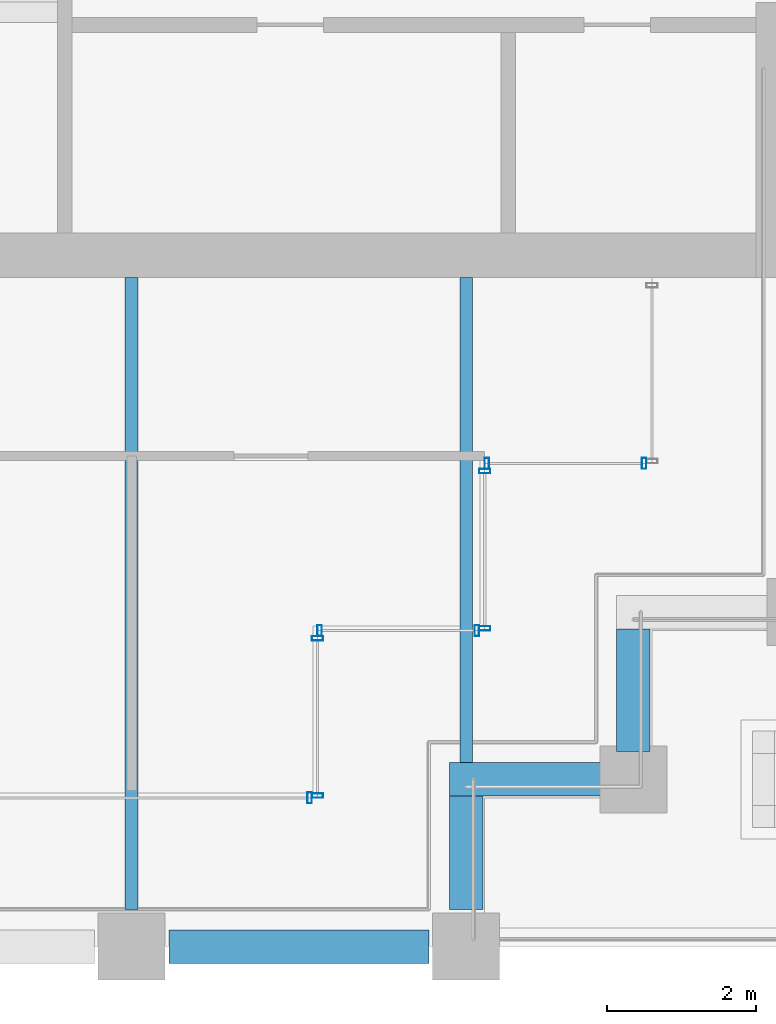
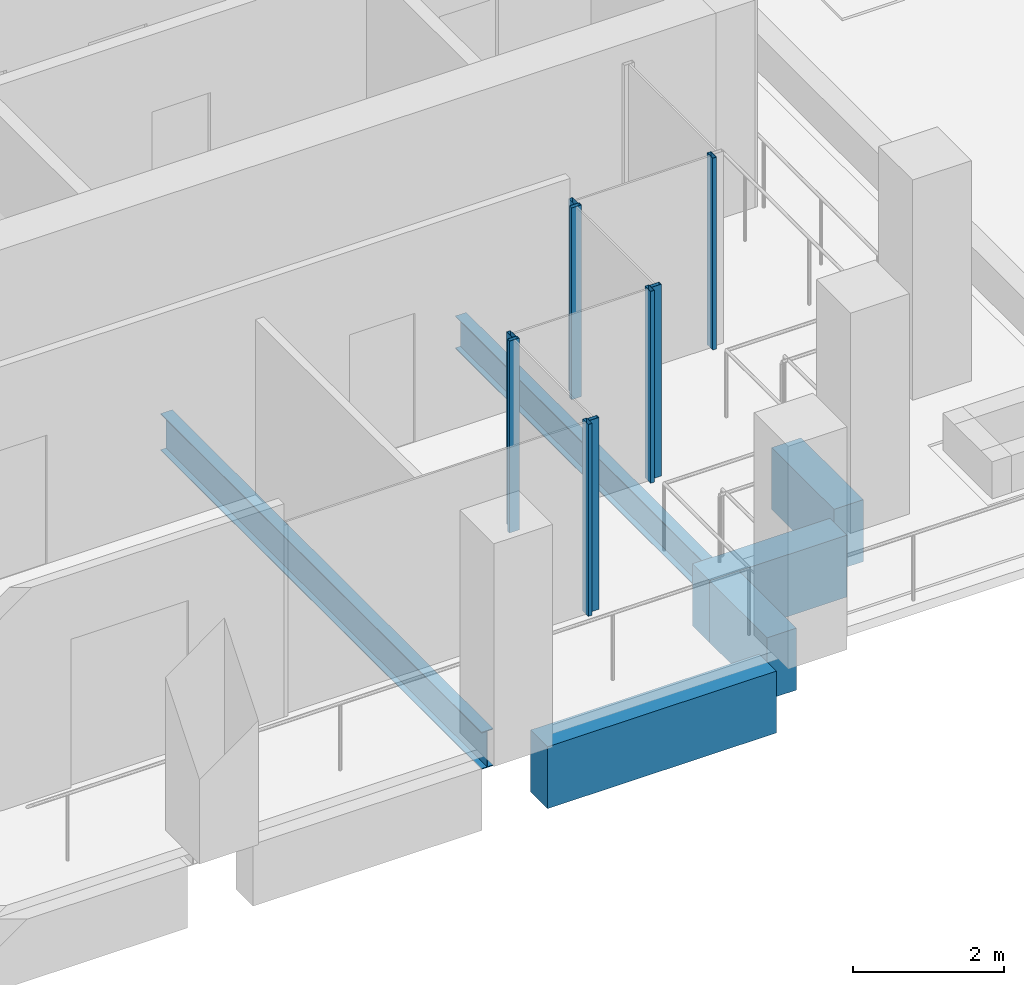
# One storey, part 31 of 44: 9 members, 6 beams, 5 elements without a shape of their own.
"""IFC4 building model written with IfcOpenShell, lengths in metres."""

from ifc_helpers import new_model, si_unit, direction, frame, origin, origin_2d, place, context, subcontext, project, spatial, rectangle, hollow_rectangle, i_section, extrude, material, material_profile, profile_set, type_object, element, aggregate, save


model = new_model("IFC4")

# Units and contexts
model_context = context("Model", 3, precision=1e-05, world=origin(), true_north=direction((0.0, 1.0)))
body_context = subcontext(model_context, "Body", "Model", "MODEL_VIEW")
ifc_project = project(units=[si_unit("LENGTHUNIT", "METRE"), si_unit("AREAUNIT", "SQUARE_METRE"), si_unit("VOLUMEUNIT", "CUBIC_METRE"), si_unit("PLANEANGLEUNIT", "RADIAN"), si_unit("MASSUNIT", "GRAM", prefix="KILO")], contexts=[model_context])

# Site, building, storey
site_placement = place(None, origin())
site = spatial("IfcSite", under=ifc_project, at=site_placement, CompositionType="ELEMENT")
building_placement = place(site_placement, origin())
building = spatial("IfcBuilding", under=site, at=building_placement, Name="Altepetl Exchange Towers", CompositionType="ELEMENT")
storey_placement = place(building_placement, frame((0.0, 0.0, 143.800048828125)))
storey = spatial("IfcBuildingStorey", under=building, at=storey_placement, Name="L35", CompositionType="ELEMENT", Elevation=143.800048828125)

# Beams
ifc_material_1 = material(Name="Steel S355", Category="steel")
ifc_material_profile_1 = material_profile(ifc_material_1, i_section(OverallWidth=0.166015625, OverallDepth=0.529052734375, WebThickness=0.009765625, FlangeThickness=0.013671875, at=origin_2d()), Name="W21X50")
ifc_profile_set_1 = profile_set([ifc_material_profile_1], Name="Steel S355")
beam_type_1 = type_object("IfcBeamType", Name="Floor beam W21X50", PredefinedType="BEAM", material=ifc_profile_set_1)
beam_1_placement = place(storey_placement, frame((112.5, 29.47509765625, -0.41455078125), z_axis=(0.0, 1.0, 0.0), x_axis=(-1.0, 0.0, 0.0)))
element("IfcBeam", 1, at=beam_1_placement, inside=storey, type_object=beam_type_1, Name="bm:B:L35:003", PredefinedType="BEAM", context=body_context, shape_type="SweptSolid", body=[
    extrude(i_section(OverallWidth=0.166015625, OverallDepth=0.529052734375, WebThickness=0.009765625, FlangeThickness=0.013671875, at=origin_2d()), origin(), (0.0, 0.0, 1.0), 6.52490234375),
])
ifc_material_profile_2 = material_profile(ifc_material_1, i_section(OverallWidth=0.177978515625, OverallDepth=0.59912109375, WebThickness=0.010009765625, FlangeThickness=0.0126953125, at=origin_2d()), Name="W24X55")
ifc_profile_set_2 = profile_set([ifc_material_profile_2], Name="Steel S355")
beam_type_2 = type_object("IfcBeamType", Name="Floor beam W24X55", PredefinedType="BEAM", material=ifc_profile_set_2)
beam_2_placement = place(storey_placement, frame((108.0, 27.5, -0.449462890625), z_axis=(0.0, 1.0, 0.0), x_axis=(-1.0, 0.0, 0.0)))
element("IfcBeam", 2, at=beam_2_placement, inside=storey, type_object=beam_type_2, Name="bm:B:L35:002", PredefinedType="BEAM", context=body_context, shape_type="SweptSolid", body=[
    extrude(i_section(OverallWidth=0.177978515625, OverallDepth=0.59912109375, WebThickness=0.010009765625, FlangeThickness=0.0126953125, at=origin_2d()), origin(), (0.0, 0.0, 1.0), 8.5),
])

# Curtain wall, member
ifc_material_2 = material(Name="Aluminium 6063-T6 glazing", Category="aluminium")
curtain_wall_type = type_object("IfcCurtainWallType", Name="Loggia glazing system", PredefinedType="NOTDEFINED", material=ifc_material_2)
curtain_wall_1_placement = place(storey_placement, origin())
curtain_wall_1 = element("IfcCurtainWall", 3, at=curtain_wall_1_placement, inside=storey, type_object=curtain_wall_type, Name="CW1 run", PredefinedType="NOTDEFINED")
ifc_material_3 = material(Name="Aluminium 6063-T6", Category="aluminium")
ifc_material_profile_3 = material_profile(ifc_material_3, hollow_rectangle(XDim=0.06005859375, YDim=0.14990234375, WallThickness=0.0029296875, at=origin_2d()), Name="Mullion 60x150 aluminium")
ifc_profile_set_3 = profile_set([ifc_material_profile_3], Name="Aluminium 6063-T6")
member_type = type_object("IfcMemberType", Name="Mullion 60x150 aluminium", PredefinedType="MULLION", material=ifc_profile_set_3)
member_1_placement = place(storey_placement, frame((110.39501953125, 29.0, 0.0)))
member_1 = element("IfcMember", 4, at=member_1_placement, type_object=member_type, Name="MU1 mullion", PredefinedType="MULLION", context=body_context, shape_type="SweptSolid", body=[
    extrude(hollow_rectangle(XDim=0.06005859375, YDim=0.14990234375, WallThickness=0.0029296875, at=origin_2d()), origin(), (0.0, 0.0, 1.0), 3.099853515625),
])
aggregate(curtain_wall_1, [member_1])

# Curtain wall, members
curtain_wall_2_placement = place(storey_placement, origin())
curtain_wall_2 = element("IfcCurtainWall", 5, at=curtain_wall_2_placement, inside=storey, type_object=curtain_wall_type, Name="CW1 run", PredefinedType="NOTDEFINED")
member_2_placement = place(storey_placement, frame((110.5, 29.030029296875, 0.0), z_axis=(0.0, 0.0, 1.0), x_axis=(0.0, 1.0, 0.0)))
member_2 = element("IfcMember", 6, at=member_2_placement, type_object=member_type, Name="MU1 mullion", PredefinedType="MULLION", context=body_context, shape_type="SweptSolid", body=[
    extrude(hollow_rectangle(XDim=0.06005859375, YDim=0.14990234375, WallThickness=0.0029296875, at=origin_2d()), origin(), (0.0, 0.0, 1.0), 3.099853515625),
])
member_3_placement = place(storey_placement, frame((110.5, 31.14501953125, 0.0), z_axis=(0.0, 0.0, 1.0), x_axis=(0.0, 1.0, 0.0)))
member_3 = element("IfcMember", 7, at=member_3_placement, type_object=member_type, Name="MU1 mullion", PredefinedType="MULLION", context=body_context, shape_type="SweptSolid", body=[
    extrude(hollow_rectangle(XDim=0.06005859375, YDim=0.14990234375, WallThickness=0.0029296875, at=origin_2d()), origin(), (0.0, 0.0, 1.0), 3.099853515625),
])
aggregate(curtain_wall_2, [member_2, member_3])

curtain_wall_3_placement = place(storey_placement, origin())
curtain_wall_3 = element("IfcCurtainWall", 8, at=curtain_wall_3_placement, inside=storey, type_object=curtain_wall_type, Name="CW1 run", PredefinedType="NOTDEFINED")
member_4_placement = place(storey_placement, frame((110.530029296875, 31.25, 0.0)))
member_4 = element("IfcMember", 9, at=member_4_placement, type_object=member_type, Name="MU1 mullion", PredefinedType="MULLION", context=body_context, shape_type="SweptSolid", body=[
    extrude(hollow_rectangle(XDim=0.06005859375, YDim=0.14990234375, WallThickness=0.0029296875, at=origin_2d()), origin(), (0.0, 0.0, 1.0), 3.099853515625),
])
member_5_placement = place(storey_placement, frame((112.64501953125, 31.25, 0.0)))
member_5 = element("IfcMember", 10, at=member_5_placement, type_object=member_type, Name="MU1 mullion", PredefinedType="MULLION", context=body_context, shape_type="SweptSolid", body=[
    extrude(hollow_rectangle(XDim=0.06005859375, YDim=0.14990234375, WallThickness=0.0029296875, at=origin_2d()), origin(), (0.0, 0.0, 1.0), 3.099853515625),
])
aggregate(curtain_wall_3, [member_4, member_5])

curtain_wall_4_placement = place(storey_placement, origin())
curtain_wall_4 = element("IfcCurtainWall", 11, at=curtain_wall_4_placement, inside=storey, type_object=curtain_wall_type, Name="CW1 run", PredefinedType="NOTDEFINED")
member_6_placement = place(storey_placement, frame((112.75, 31.280029296875, 0.0), z_axis=(0.0, 0.0, 1.0), x_axis=(0.0, 1.0, 0.0)))
member_6 = element("IfcMember", 12, at=member_6_placement, type_object=member_type, Name="MU1 mullion", PredefinedType="MULLION", context=body_context, shape_type="SweptSolid", body=[
    extrude(hollow_rectangle(XDim=0.06005859375, YDim=0.14990234375, WallThickness=0.0029296875, at=origin_2d()), origin(), (0.0, 0.0, 1.0), 3.099853515625),
])
member_7_placement = place(storey_placement, frame((112.75, 33.39501953125, 0.0), z_axis=(0.0, 0.0, 1.0), x_axis=(0.0, 1.0, 0.0)))
member_7 = element("IfcMember", 13, at=member_7_placement, type_object=member_type, Name="MU1 mullion", PredefinedType="MULLION", context=body_context, shape_type="SweptSolid", body=[
    extrude(hollow_rectangle(XDim=0.06005859375, YDim=0.14990234375, WallThickness=0.0029296875, at=origin_2d()), origin(), (0.0, 0.0, 1.0), 3.099853515625),
])
aggregate(curtain_wall_4, [member_6, member_7])

curtain_wall_5_placement = place(storey_placement, origin())
curtain_wall_5 = element("IfcCurtainWall", 14, at=curtain_wall_5_placement, inside=storey, type_object=curtain_wall_type, Name="CW1 run", PredefinedType="NOTDEFINED")
member_8_placement = place(storey_placement, frame((112.780029296875, 33.5, 0.0)))
member_8 = element("IfcMember", 15, at=member_8_placement, type_object=member_type, Name="MU1 mullion", PredefinedType="MULLION", context=body_context, shape_type="SweptSolid", body=[
    extrude(hollow_rectangle(XDim=0.06005859375, YDim=0.14990234375, WallThickness=0.0029296875, at=origin_2d()), origin(), (0.0, 0.0, 1.0), 3.099853515625),
])
member_9_placement = place(storey_placement, frame((114.89501953125, 33.5, 0.0)))
member_9 = element("IfcMember", 16, at=member_9_placement, type_object=member_type, Name="MU1 mullion", PredefinedType="MULLION", context=body_context, shape_type="SweptSolid", body=[
    extrude(hollow_rectangle(XDim=0.06005859375, YDim=0.14990234375, WallThickness=0.0029296875, at=origin_2d()), origin(), (0.0, 0.0, 1.0), 3.099853515625),
])
aggregate(curtain_wall_5, [member_8, member_9])

# Beams
ifc_material_4 = material(Name="Concrete C50/60 precast with tezontle facing", Category="concrete")
ifc_material_profile_4 = material_profile(ifc_material_4, rectangle(XDim=0.449951171875, YDim=1.0, at=origin_2d()), Name="450 x 1000")
ifc_profile_set_4 = profile_set([ifc_material_profile_4], Name="Concrete C50/60 precast with tezontle facing")
beam_type_3 = type_object("IfcBeamType", Name="Spandrel beam 450x1000 tezontle", PredefinedType="SPANDREL", material=ifc_profile_set_4)
beam_3_placement = place(storey_placement, frame((108.5, 27.0, -0.650146484375), z_axis=(1.0, 0.0, 0.0), x_axis=(0.0, 1.0, 0.0)))
element("IfcBeam", 17, at=beam_3_placement, inside=storey, type_object=beam_type_3, Name="sp:B:L35:002", PredefinedType="SPANDREL", context=body_context, shape_type="SweptSolid", body=[
    extrude(rectangle(XDim=0.449951171875, YDim=1.0, at=origin_2d()), origin(), (0.0, 0.0, 1.0), 3.5),
])
beam_4_placement = place(storey_placement, frame((112.5, 27.5, -0.650146484375), z_axis=(0.0, 1.0, 0.0), x_axis=(-1.0, 0.0, 0.0)))
element("IfcBeam", 18, at=beam_4_placement, inside=storey, type_object=beam_type_3, Name="sp:B:L35:003", PredefinedType="SPANDREL", context=body_context, shape_type="SweptSolid", body=[
    extrude(rectangle(XDim=0.449951171875, YDim=1.0, at=origin_2d()), origin(), (0.0, 0.0, 1.0), 1.52490234375),
])
beam_5_placement = place(storey_placement, frame((112.27490234375, 29.25, -0.650146484375), z_axis=(1.0, 0.0, 0.0), x_axis=(0.0, 1.0, 0.0)))
element("IfcBeam", 19, at=beam_5_placement, inside=storey, type_object=beam_type_3, Name="sp:B:L35:004", PredefinedType="SPANDREL", context=body_context, shape_type="SweptSolid", body=[
    extrude(rectangle(XDim=0.449951171875, YDim=1.0, at=origin_2d()), origin(), (0.0, 0.0, 1.0), 2.10009765625),
])
beam_6_placement = place(storey_placement, frame((114.75, 29.625, -0.650146484375), z_axis=(0.0, 1.0, 0.0), x_axis=(-1.0, 0.0, 0.0)))
element("IfcBeam", 20, at=beam_6_placement, inside=storey, type_object=beam_type_3, Name="sp:B:L35:005", PredefinedType="SPANDREL", context=body_context, shape_type="SweptSolid", body=[
    extrude(rectangle(XDim=0.449951171875, YDim=1.0, at=origin_2d()), origin(), (0.0, 0.0, 1.0), 1.64990234375),
])

save(model, "model.ifc")
